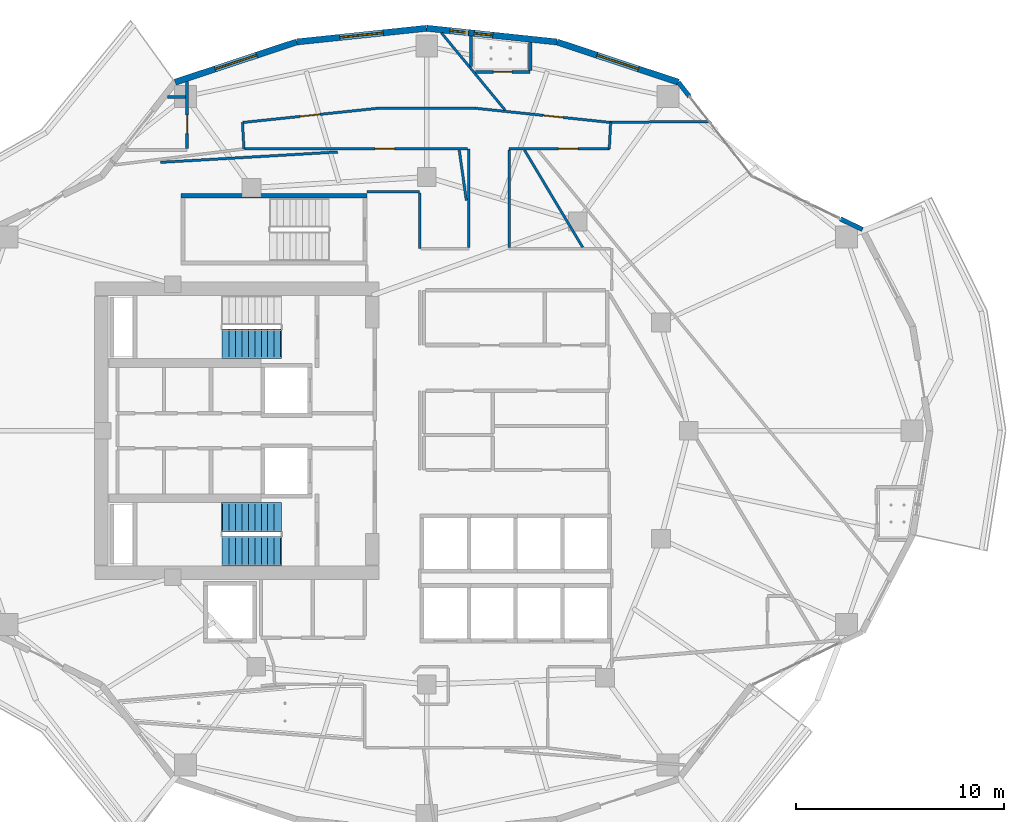
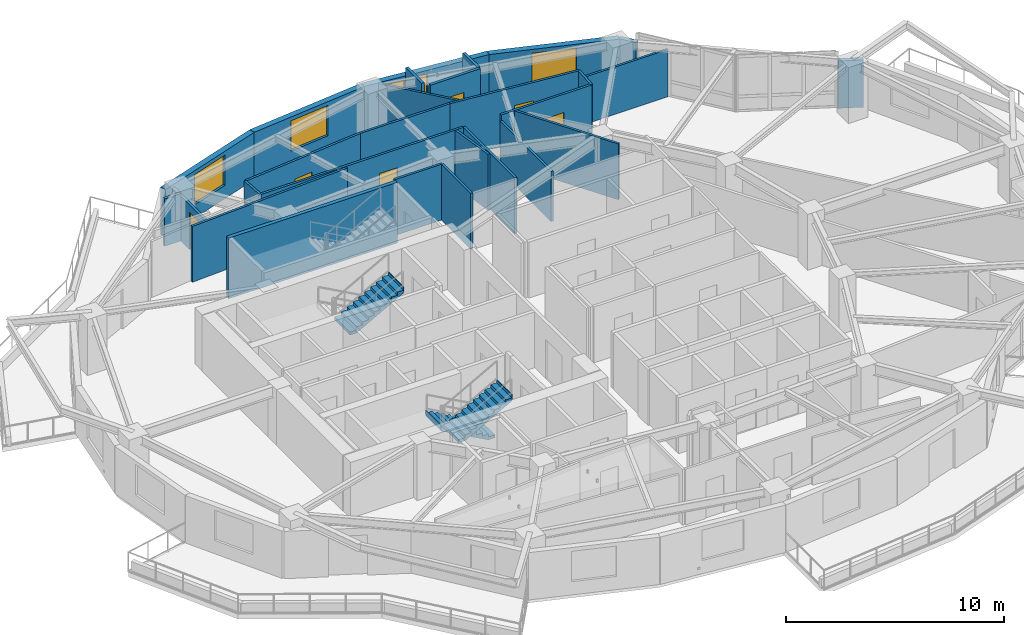
# One storey, part 10 of 18: 28 walls, 6 doors, 5 windows, 3 stair flights, 11 openings, 2 elements without a shape of their own.
"""IFC4 building model written with IfcOpenShell, lengths in metres."""

from ifc_helpers import new_model, si_unit, direction, frame, frame_2d, origin, place, context, subcontext, project, spatial, polyline, rectangle, outline, extrude, material, layer, layer_set, type_object, element, fill, aggregate, save


model = new_model("IFC4")

# Units and contexts
model_context = context("Model", 3, precision=1e-05, world=origin(), true_north=direction((0.0, 1.0)))
body_context = subcontext(model_context, "Body", "Model", "MODEL_VIEW")
ifc_project = project(units=[si_unit("LENGTHUNIT", "METRE"), si_unit("AREAUNIT", "SQUARE_METRE"), si_unit("VOLUMEUNIT", "CUBIC_METRE"), si_unit("PLANEANGLEUNIT", "RADIAN"), si_unit("MASSUNIT", "GRAM", prefix="KILO")], contexts=[model_context])

# Site, building, storey
site_placement = place(None, origin())
site = spatial("IfcSite", under=ifc_project, at=site_placement, CompositionType="ELEMENT")
building_placement = place(site_placement, origin())
building = spatial("IfcBuilding", under=site, at=building_placement, Name="Kolvaren Gate Tower and Convention Centre", CompositionType="ELEMENT")
storey_placement = place(building_placement, frame((0.0, 0.0, 135.89990234375)))
storey = spatial("IfcBuildingStorey", under=building, at=storey_placement, Name="L34", CompositionType="ELEMENT", Elevation=135.89990234375)

# Walls
ifc_material_1 = material(Name="Fire-Rated Acoustic Gypsum Stud Partition", Category="gypsum")
ifc_layer_1 = layer(ifc_material_1, 0.1201171875)
ifc_layer_set_1 = layer_set([ifc_layer_1], Name="Fire-Rated Acoustic Gypsum Stud Partition")
wall_type_1 = type_object("IfcWallType", Name="ARCH-WL-PART-120", PredefinedType="PARTITIONING", material=ifc_layer_set_1)
wall_1_placement = place(storey_placement, frame((21.263916015625, 41.81787109375, 0.0), z_axis=(0.0, 0.0, 1.0), x_axis=(0.0574492264, -0.99834842935, 0.0)))
element("IfcWall", 1, at=wall_1_placement, inside=storey, type_object=wall_type_1, Name="Interior Partition WL-L34-INT-035", PredefinedType="PARTITIONING", context=body_context, shape_type="SweptSolid", body=[
    extrude(rectangle(XDim=1.270751953125, YDim=0.1201171875, at=frame_2d((0.63525390625, 0.0))), origin(), (0.0, 0.0, 1.0), 3.130126953125),
])
wall_2_placement = place(storey_placement, frame((27.25, 38.5, 0.0), z_axis=(0.0, 0.0, 1.0), x_axis=(1.0, 0.0, 0.0)))
element("IfcWall", 2, at=wall_2_placement, inside=storey, type_object=wall_type_1, Name="Interior Partition WL-L34-INT-039", PredefinedType="PARTITIONING", context=body_context, shape_type="SweptSolid", body=[
    extrude(rectangle(XDim=2.530029296875, YDim=0.1201171875, at=frame_2d((1.26513671875, 0.0))), origin(), (0.0, 0.0, 1.0), 3.130126953125),
])
wall_3_placement = place(storey_placement, frame((29.780029296875, 35.75, 0.0), z_axis=(0.0, 0.0, 1.0), x_axis=(0.0, 1.0, 0.0)))
element("IfcWall", 3, at=wall_3_placement, inside=storey, type_object=wall_type_1, Name="Interior Partition WL-L34-INT-043", PredefinedType="PARTITIONING", context=body_context, shape_type="SweptSolid", body=[
    extrude(rectangle(XDim=2.68798828125, YDim=0.1201171875, at=frame_2d((1.343994140625, 0.0))), origin(), (0.0, 0.0, 1.0), 3.130126953125),
])
wall_4_placement = place(storey_placement, frame((32.14990234375, 35.81201171875, 0.0), z_axis=(0.0, 0.0, 1.0), x_axis=(0.0, 1.0, 0.0)))
element("IfcWall", 4, at=wall_4_placement, inside=storey, type_object=wall_type_1, Name="Interior Partition WL-L34-INT-046", PredefinedType="PARTITIONING", context=body_context, shape_type="SweptSolid", body=[
    extrude(rectangle(XDim=4.738037109375, YDim=0.1201171875, at=frame_2d((2.369140625, 0.0))), origin(), (0.0, 0.0, 1.0), 3.130126953125),
])

# Wall, opening, door
wall_5_placement = place(storey_placement, frame((21.3505859375, 40.550048828125, 0.0), z_axis=(0.0, 0.0, 1.0), x_axis=(1.0, 0.0, 0.0)))
wall_5 = element("IfcWall", 5, at=wall_5_placement, inside=storey, type_object=wall_type_1, Name="Interior Partition WL-L34-INT-047", PredefinedType="PARTITIONING", context=body_context, shape_type="SweptSolid", body=[
    extrude(rectangle(XDim=10.7373046875, YDim=0.1201171875, at=frame_2d((5.36865234375, 0.0))), origin(), (0.0, 0.0, 1.0), 3.130126953125),
])
opening_1_placement = place(wall_5_placement, frame((6.28173828125, 0.0, 0.0)))
opening_1 = element("IfcOpeningElement", 6, at=opening_1_placement, cuts=wall_5, Name="Opening DR-01", PredefinedType="OPENING", context=body_context, shape_type="SweptSolid", body=[
    extrude(rectangle(XDim=0.949951171875, YDim=2.10009765625, at=frame_2d((0.47509765625, 1.050048828125))), frame((0.0, 0.070068359375, 0.0), z_axis=(0.0, -1.0, 0.0), x_axis=(1.0, 0.0, 0.0)), (0.0, 0.0, 1.0), 0.14013671875),
])
ifc_material_2 = material(Name="Painted Architectural Steelwork ASTM A500 Grade C 345 MPa", Category="steel")
door_type_1 = type_object("IfcDoorType", Name="ARCH-DR-RISER-950", OperationType="SINGLE_SWING_RIGHT", PredefinedType="DOOR", material=ifc_material_2)
door_1_placement = place(opening_1_placement, origin())
door_1 = element("IfcDoor", 7, at=door_1_placement, inside=storey, type_object=door_type_1, Name="Hotel Botanical Clubroom Door", OperationType="SINGLE_SWING_LEFT", OverallHeight=2.10009765625, OverallWidth=0.949951171875, PredefinedType="DOOR", context=body_context, shape_type="SweptSolid", body=[
    extrude(rectangle(XDim=0.949951171875, YDim=2.10009765625, at=frame_2d((0.47509765625, 1.050048828125))), frame((0.0, 0.02490234375, 0.0), z_axis=(0.0, -1.0, 0.0), x_axis=(1.0, 0.0, 0.0)), (0.0, 0.0, 1.0), 0.050048828125),
])
fill(opening_1, door_1)

wall_6_placement = place(storey_placement, frame((34.080078125, 40.550048828125, 0.0), z_axis=(0.0, 0.0, 1.0), x_axis=(1.0, 0.0, 0.0)))
wall_6 = element("IfcWall", 8, at=wall_6_placement, inside=storey, type_object=wall_type_1, Name="Interior Partition WL-L34-INT-048", PredefinedType="PARTITIONING", context=body_context, shape_type="SweptSolid", body=[
    extrude(rectangle(XDim=4.81982421875, YDim=0.1201171875, at=frame_2d((2.409912109375, 0.0))), origin(), (0.0, 0.0, 1.0), 3.130126953125),
])
opening_2_placement = place(wall_6_placement, frame((2.368408203125, 0.0, 0.0)))
opening_2 = element("IfcOpeningElement", 9, at=opening_2_placement, cuts=wall_6, Name="Opening DR-01", PredefinedType="OPENING", context=body_context, shape_type="SweptSolid", body=[
    extrude(rectangle(XDim=0.949951171875, YDim=2.10009765625, at=frame_2d((0.47509765625, 1.050048828125))), frame((0.0, 0.070068359375, 0.0), z_axis=(0.0, -1.0, 0.0), x_axis=(1.0, 0.0, 0.0)), (0.0, 0.0, 1.0), 0.14013671875),
])
door_2_placement = place(opening_2_placement, origin())
door_2 = element("IfcDoor", 10, at=door_2_placement, inside=storey, type_object=door_type_1, Name="Deluxe Hotel Suite (HTL-L34-07) Door", OperationType="SINGLE_SWING_RIGHT", OverallHeight=2.10009765625, OverallWidth=0.949951171875, PredefinedType="DOOR", context=body_context, shape_type="SweptSolid", body=[
    extrude(rectangle(XDim=0.949951171875, YDim=2.10009765625, at=frame_2d((0.47509765625, 1.050048828125))), frame((0.0, 0.02490234375, 0.0), z_axis=(0.0, -1.0, 0.0), x_axis=(1.0, 0.0, 0.0)), (0.0, 0.0, 1.0), 0.050048828125),
])
fill(opening_2, door_2)

wall_7_placement = place(storey_placement, frame((21.282958984375, 41.819091796875, 0.0), z_axis=(0.0, 0.0, 1.0), x_axis=(0.994501131299, 0.104725831799, 0.0)))
wall_7 = element("IfcWall", 11, at=wall_7_placement, inside=storey, type_object=wall_type_1, Name="Interior Partition WL-L34-INT-049", PredefinedType="PARTITIONING", context=body_context, shape_type="SweptSolid", body=[
    extrude(rectangle(XDim=6.501708984375, YDim=0.1201171875, at=frame_2d((3.2509765625, 0.0))), origin(), (0.0, 0.0, 1.0), 3.130126953125),
])
opening_3_placement = place(wall_7_placement, frame((2.77587890625, 0.0, 0.0)))
opening_3 = element("IfcOpeningElement", 12, at=opening_3_placement, cuts=wall_7, Name="Opening DR-01", PredefinedType="OPENING", context=body_context, shape_type="SweptSolid", body=[
    extrude(rectangle(XDim=0.949951171875, YDim=2.10009765625, at=frame_2d((0.47509765625, 1.050048828125))), frame((0.0, 0.070068359375, 0.0), z_axis=(0.0, -1.0, 0.0), x_axis=(1.0, 0.0, 0.0)), (0.0, 0.0, 1.0), 0.14013671875),
])
door_3_placement = place(opening_3_placement, origin())
door_3 = element("IfcDoor", 13, at=door_3_placement, inside=storey, type_object=door_type_1, Name="Deluxe Hotel Suite (HTL-L34-09) Door", OperationType="SINGLE_SWING_RIGHT", OverallHeight=2.10009765625, OverallWidth=0.949951171875, PredefinedType="DOOR", context=body_context, shape_type="SweptSolid", body=[
    extrude(rectangle(XDim=0.949951171875, YDim=2.10009765625, at=frame_2d((0.47509765625, 1.050048828125))), frame((0.0, 0.02490234375, 0.0), z_axis=(0.0, -1.0, 0.0), x_axis=(1.0, 0.0, 0.0)), (0.0, 0.0, 1.0), 0.050048828125),
])
fill(opening_3, door_3)

# Wall
wall_8_placement = place(storey_placement, frame((27.7490234375, 42.5, 0.0), z_axis=(0.0, 0.0, 1.0), x_axis=(1.0, 0.0, 0.0)))
element("IfcWall", 14, at=wall_8_placement, inside=storey, type_object=wall_type_1, Name="Interior Partition WL-L34-INT-050", PredefinedType="PARTITIONING", context=body_context, shape_type="SweptSolid", body=[
    extrude(rectangle(XDim=4.751953125, YDim=0.1201171875, at=frame_2d((2.3759765625, 0.0))), origin(), (0.0, 0.0, 1.0), 3.130126953125),
])

# Wall, opening, door
wall_9_placement = place(storey_placement, frame((32.5009765625, 42.5, 0.0), z_axis=(0.0, 0.0, 1.0), x_axis=(0.994501131299, -0.104725831799, 0.0)))
wall_9 = element("IfcWall", 15, at=wall_9_placement, inside=storey, type_object=wall_type_1, Name="Interior Partition WL-L34-INT-051", PredefinedType="PARTITIONING", context=body_context, shape_type="SweptSolid", body=[
    extrude(rectangle(XDim=6.501708984375, YDim=0.1201171875, at=frame_2d((3.2509765625, 0.0))), origin(), (0.0, 0.0, 1.0), 3.130126953125),
])
opening_4_placement = place(wall_9_placement, frame((3.246826171875, 0.0, 0.0)))
opening_4 = element("IfcOpeningElement", 16, at=opening_4_placement, cuts=wall_9, Name="Opening DR-01", PredefinedType="OPENING", context=body_context, shape_type="SweptSolid", body=[
    extrude(rectangle(XDim=0.949951171875, YDim=2.10009765625, at=frame_2d((0.47509765625, 1.050048828125))), frame((0.0, 0.070068359375, 0.0), z_axis=(0.0, -1.0, 0.0), x_axis=(1.0, 0.0, 0.0)), (0.0, 0.0, 1.0), 0.14013671875),
])
door_4_placement = place(opening_4_placement, origin())
door_4 = element("IfcDoor", 17, at=door_4_placement, inside=storey, type_object=door_type_1, Name="Hotel Guest Room (HTL-L34-08) Door", OperationType="SINGLE_SWING_LEFT", OverallHeight=2.10009765625, OverallWidth=0.949951171875, PredefinedType="DOOR", context=body_context, shape_type="SweptSolid", body=[
    extrude(rectangle(XDim=0.949951171875, YDim=2.10009765625, at=frame_2d((0.47509765625, 1.050048828125))), frame((0.0, 0.02490234375, 0.0), z_axis=(0.0, -1.0, 0.0), x_axis=(1.0, 0.0, 0.0)), (0.0, 0.0, 1.0), 0.050048828125),
])
fill(opening_4, door_4)

# Walls
wall_10_placement = place(storey_placement, frame((38.89990234375, 40.550048828125, 0.0), z_axis=(0.0, 0.0, 1.0), x_axis=(0.052831079727, 0.99860346335, 0.0)))
element("IfcWall", 18, at=wall_10_placement, inside=storey, type_object=wall_type_1, Name="Interior Partition WL-L34-INT-052", PredefinedType="PARTITIONING", context=body_context, shape_type="SweptSolid", body=[
    extrude(rectangle(XDim=1.270751953125, YDim=0.1201171875, at=frame_2d((0.63525390625, 0.0))), origin(), (0.0, 0.0, 1.0), 3.130126953125),
])
wall_11_placement = place(storey_placement, frame((34.080078125, 35.81201171875, 0.0), z_axis=(0.0, 0.0, 1.0), x_axis=(0.0, 1.0, 0.0)))
element("IfcWall", 19, at=wall_11_placement, inside=storey, type_object=wall_type_1, Name="Interior Partition WL-L34-INT-053", PredefinedType="PARTITIONING", context=body_context, shape_type="SweptSolid", body=[
    extrude(rectangle(XDim=4.676025390625, YDim=0.1201171875, at=frame_2d((2.337890625, 0.0))), origin(), (0.0, 0.0, 1.0), 2.81201171875),
])
wall_12_placement = place(storey_placement, frame((34.824951171875, 40.488037109375, 0.0), z_axis=(0.0, 0.0, 1.0), x_axis=(0.513579710685, -0.85804188754, 0.0)))
element("IfcWall", 20, at=wall_12_placement, inside=storey, type_object=wall_type_1, Name="Interior Partition WL-L34-INT-069", PredefinedType="PARTITIONING", context=body_context, shape_type="SweptSolid", body=[
    extrude(rectangle(XDim=5.44970703125, YDim=0.1201171875, at=frame_2d((2.724853515625, 0.0))), origin(), (0.0, 0.0, 1.0), 3.130126953125),
])
wall_13_placement = place(storey_placement, frame((30.834716796875, 46.122314453125, 0.0), z_axis=(0.0, 0.0, 1.0), x_axis=(0.636070633964, -0.771630836999, 0.0)))
element("IfcWall", 21, at=wall_13_placement, inside=storey, type_object=wall_type_1, Name="Interior Partition WL-L34-INT-070", PredefinedType="PARTITIONING", context=body_context, shape_type="SweptSolid", body=[
    extrude(rectangle(XDim=4.80322265625, YDim=0.1201171875, at=frame_2d((2.401611328125, 0.0))), origin(), (0.0, 0.0, 1.0), 2.653076171875),
])
wall_14_placement = place(storey_placement, frame((38.96875, 41.8359375, 0.0), z_axis=(0.0, 0.0, 1.0), x_axis=(0.999993975638, 0.003471121975, 0.0)))
element("IfcWall", 22, at=wall_14_placement, inside=storey, type_object=wall_type_1, Name="Interior Partition WL-L34-INT-072", PredefinedType="PARTITIONING", context=body_context, shape_type="SweptSolid", body=[
    extrude(rectangle(XDim=4.71240234375, YDim=0.1201171875, at=frame_2d((2.356201171875, 0.0))), origin(), (0.0, 0.0, 1.0), 2.653076171875),
])
wall_15_placement = place(storey_placement, frame((17.331298828125, 39.902587890625, 0.0), z_axis=(0.0, 0.0, 1.0), x_axis=(0.998298083041, 0.0583175565, 0.0)))
element("IfcWall", 23, at=wall_15_placement, inside=storey, type_object=wall_type_1, Name="Interior Partition WL-L34-INT-083", PredefinedType="PARTITIONING", context=body_context, shape_type="SweptSolid", body=[
    extrude(rectangle(XDim=8.527587890625, YDim=0.1201171875, at=frame_2d((4.263671875, 0.0))), origin(), (0.0, 0.0, 1.0), 3.130126953125),
])
wall_16_placement = place(storey_placement, frame((31.688720703125, 40.488037109375, 0.0), z_axis=(0.0, 0.0, 1.0), x_axis=(0.139205728255, -0.990263482726, 0.0)))
element("IfcWall", 24, at=wall_16_placement, inside=storey, type_object=wall_type_1, Name="Interior Partition WL-L34-INT-084", PredefinedType="PARTITIONING", context=body_context, shape_type="SweptSolid", body=[
    extrude(rectangle(XDim=2.437744140625, YDim=0.1201171875, at=frame_2d((1.21875, 0.0))), origin(), (0.0, 0.0, 1.0), 3.130126953125),
])
ifc_material_3 = material(Name="Bogota Sabana Bush-Hammered Sandstone Cladding", Category="masonry")
ifc_layer_2 = layer(ifc_material_3, 0.219970703125)
ifc_layer_set_2 = layer_set([ifc_layer_2], Name="Bogota Sabana Bush-Hammered Sandstone Cladding")
wall_type_2 = type_object("IfcWallType", Name="ARCH-WL-PIER-220", PredefinedType="SOLIDWALL", material=ifc_layer_set_2)
wall_17_placement = place(storey_placement, frame((50.0068359375, 37.186767578125, 0.0), z_axis=(0.0, 0.0, 1.0), x_axis=(0.90138115854, -0.433026566193, 0.0)))
element("IfcWall", 25, at=wall_17_placement, inside=storey, type_object=wall_type_2, Name="Tower L34 Unitised Curtain Wall CW-HTL-UNIT Bay 02 Right Column Pier Wrap", PredefinedType="SOLIDWALL", context=body_context, shape_type="SweptSolid", body=[
    extrude(rectangle(XDim=1.181640625, YDim=0.219970703125, at=frame_2d((0.5908203125, 0.0))), origin(), (0.0, 0.0, 1.0), 2.653076171875),
])
wall_18_placement = place(storey_placement, frame((42.21875, 43.757568359375, 0.0), z_axis=(0.0, 0.0, 1.0), x_axis=(0.61650363284, -0.787352062736, 0.0)))
element("IfcWall", 26, at=wall_18_placement, inside=storey, type_object=wall_type_2, Name="Tower L34 Unitised Curtain Wall CW-HTL-UNIT Bay 03 Left Column Pier Wrap", PredefinedType="SOLIDWALL", context=body_context, shape_type="SweptSolid", body=[
    extrude(rectangle(XDim=0.8759765625, YDim=0.219970703125, at=frame_2d((0.43798828125, 0.0))), origin(), (0.0, 0.0, 1.0), 2.653076171875),
])

# Wall, opening, window
ifc_material_4 = material(Name="Piedmont Cream Honed Limestone Cladding", Category="masonry")
ifc_layer_3 = layer(ifc_material_4, 0.300048828125)
ifc_layer_set_3 = layer_set([ifc_layer_3], Name="Piedmont Cream Honed Limestone Cladding")
wall_type_3 = type_object("IfcWallType", Name="ARCH-WL-STONE-300", PredefinedType="SOLIDWALL", material=ifc_layer_set_3)
wall_19_placement = place(storey_placement, frame((36.38525390625, 45.690673828125, 0.0), z_axis=(0.0, 0.0, 1.0), x_axis=(0.949238009374, -0.314558741032, 0.0)))
wall_19 = element("IfcWall", 27, at=wall_19_placement, inside=storey, type_object=wall_type_3, Name="Tower L34 Honed Stone Spandrel Wall EW-04", PredefinedType="SOLIDWALL", context=body_context, shape_type="SweptSolid", body=[
    extrude(rectangle(XDim=6.1455078125, YDim=0.300048828125, at=frame_2d((3.07275390625, 0.0))), origin(), (0.0, 0.0, 1.0), 2.653076171875),
])
opening_5_placement = place(wall_19_placement, frame((2.02294921875, 0.0, 0.739990234375)))
opening_5 = element("IfcOpeningElement", 28, at=opening_5_placement, cuts=wall_19, Name="Opening W-02", PredefinedType="OPENING", context=body_context, shape_type="SweptSolid", body=[
    extrude(rectangle(XDim=2.10009765625, YDim=1.699951171875, at=frame_2d((1.050048828125, 0.85009765625))), frame((0.0, 0.159912109375, 0.0), z_axis=(0.0, -1.0, 0.0), x_axis=(1.0, 0.0, 0.0)), (0.0, 0.0, 1.0), 0.320068359375),
])
ifc_material_5 = material(Name="Low-E Triple Insulated Glazing Unit 44 mm", Category="glass")
window_type_1 = type_object("IfcWindowType", Name="ARCH-WN-HTL-2100", PartitioningType="SINGLE_PANEL", PredefinedType="WINDOW", material=ifc_material_5)
window_1_placement = place(opening_5_placement, origin())
window_1 = element("IfcWindow", 29, at=window_1_placement, inside=storey, type_object=window_type_1, Name="Tower L34 Punched Stone Facade Window W-04", OverallHeight=1.699951171875, OverallWidth=2.10009765625, PartitioningType="SINGLE_PANEL", PredefinedType="WINDOW", context=body_context, shape_type="SweptSolid", body=[
    extrude(rectangle(XDim=2.10009765625, YDim=1.699951171875, at=frame_2d((1.050048828125, 0.85009765625))), frame((0.0, 0.030029296875, 0.0), z_axis=(0.0, -1.0, 0.0), x_axis=(1.0, 0.0, 0.0)), (0.0, 0.0, 1.0), 0.06005859375),
])
fill(opening_5, window_1)

# Wall, openings, windows
wall_20_placement = place(storey_placement, frame((30.125, 46.35009765625, 0.0), z_axis=(0.0, 0.0, 1.0), x_axis=(0.994498012394, -0.104755445421, 0.0)))
wall_20 = element("IfcWall", 30, at=wall_20_placement, inside=storey, type_object=wall_type_3, Name="Tower L34 Honed Stone Spandrel Wall EW-05", PredefinedType="SOLIDWALL", context=body_context, shape_type="SweptSolid", body=[
    extrude(rectangle(XDim=6.294921875, YDim=0.300048828125, at=frame_2d((3.1474609375, 0.0))), origin(), (0.0, 0.0, 1.0), 2.653076171875),
])
opening_6_placement = place(wall_20_placement, frame((1.122802734375, 0.0, 0.739990234375)))
opening_6 = element("IfcOpeningElement", 31, at=opening_6_placement, cuts=wall_20, Name="Opening W-06", PredefinedType="OPENING", context=body_context, shape_type="SweptSolid", body=[
    extrude(rectangle(XDim=0.89990234375, YDim=1.699951171875, at=frame_2d((0.449951171875, 0.85009765625))), frame((0.0, 0.159912109375, 0.0), z_axis=(0.0, -1.0, 0.0), x_axis=(1.0, 0.0, 0.0)), (0.0, 0.0, 1.0), 0.320068359375),
])
opening_7_placement = place(wall_20_placement, frame((2.289306640625, 0.0, 0.739990234375)))
opening_7 = element("IfcOpeningElement", 32, at=opening_7_placement, cuts=wall_20, Name="Opening W-06", PredefinedType="OPENING", context=body_context, shape_type="SweptSolid", body=[
    extrude(rectangle(XDim=0.89990234375, YDim=1.699951171875, at=frame_2d((0.449951171875, 0.85009765625))), frame((0.0, 0.159912109375, 0.0), z_axis=(0.0, -1.0, 0.0), x_axis=(1.0, 0.0, 0.0)), (0.0, 0.0, 1.0), 0.320068359375),
])
window_type_2 = type_object("IfcWindowType", Name="ARCH-WN-PUNCH-900", PartitioningType="SINGLE_PANEL", PredefinedType="WINDOW", material=ifc_material_5)
window_2_placement = place(opening_6_placement, origin())
window_2 = element("IfcWindow", 33, at=window_2_placement, inside=storey, type_object=window_type_2, Name="Tower L34 Punched Stone Facade Window W-05", OverallHeight=1.699951171875, OverallWidth=0.89990234375, PartitioningType="SINGLE_PANEL", PredefinedType="WINDOW", context=body_context, shape_type="SweptSolid", body=[
    extrude(rectangle(XDim=0.89990234375, YDim=1.699951171875, at=frame_2d((0.449951171875, 0.85009765625))), frame((0.0, 0.030029296875, 0.0), z_axis=(0.0, -1.0, 0.0), x_axis=(1.0, 0.0, 0.0)), (0.0, 0.0, 1.0), 0.06005859375),
])
fill(opening_6, window_2)
window_3_placement = place(opening_7_placement, origin())
window_3 = element("IfcWindow", 34, at=window_3_placement, inside=storey, type_object=window_type_2, Name="Tower L34 Punched Stone Facade Window W-05B", OverallHeight=1.699951171875, OverallWidth=0.89990234375, PartitioningType="SINGLE_PANEL", PredefinedType="WINDOW", context=body_context, shape_type="SweptSolid", body=[
    extrude(rectangle(XDim=0.89990234375, YDim=1.699951171875, at=frame_2d((0.449951171875, 0.85009765625))), frame((0.0, 0.030029296875, 0.0), z_axis=(0.0, -1.0, 0.0), x_axis=(1.0, 0.0, 0.0)), (0.0, 0.0, 1.0), 0.06005859375),
])
fill(opening_7, window_3)

# Wall, opening, window
wall_21_placement = place(storey_placement, frame((23.86474609375, 45.690673828125, 0.0), z_axis=(0.0, 0.0, 1.0), x_axis=(0.994498012394, 0.104755445421, 0.0)))
wall_21 = element("IfcWall", 35, at=wall_21_placement, inside=storey, type_object=wall_type_3, Name="Tower L34 Honed Stone Spandrel Wall EW-06", PredefinedType="SOLIDWALL", context=body_context, shape_type="SweptSolid", body=[
    extrude(rectangle(XDim=6.294921875, YDim=0.300048828125, at=frame_2d((3.1474609375, 0.0))), origin(), (0.0, 0.0, 1.0), 2.653076171875),
])
opening_8_placement = place(wall_21_placement, frame((2.096923828125, 0.0, 0.739990234375)))
opening_8 = element("IfcOpeningElement", 36, at=opening_8_placement, cuts=wall_21, Name="Opening W-02", PredefinedType="OPENING", context=body_context, shape_type="SweptSolid", body=[
    extrude(rectangle(XDim=2.10009765625, YDim=1.699951171875, at=frame_2d((1.050048828125, 0.85009765625))), frame((0.0, 0.159912109375, 0.0), z_axis=(0.0, -1.0, 0.0), x_axis=(1.0, 0.0, 0.0)), (0.0, 0.0, 1.0), 0.320068359375),
])
window_4_placement = place(opening_8_placement, origin())
window_4 = element("IfcWindow", 37, at=window_4_placement, inside=storey, type_object=window_type_1, Name="Tower L34 Punched Stone Facade Window W-06", OverallHeight=1.699951171875, OverallWidth=2.10009765625, PartitioningType="SINGLE_PANEL", PredefinedType="WINDOW", context=body_context, shape_type="SweptSolid", body=[
    extrude(rectangle(XDim=2.10009765625, YDim=1.699951171875, at=frame_2d((1.050048828125, 0.85009765625))), frame((0.0, 0.030029296875, 0.0), z_axis=(0.0, -1.0, 0.0), x_axis=(1.0, 0.0, 0.0)), (0.0, 0.0, 1.0), 0.06005859375),
])
fill(opening_8, window_4)

wall_22_placement = place(storey_placement, frame((18.03125, 43.757568359375, 0.0), z_axis=(0.0, 0.0, 1.0), x_axis=(0.949238009374, 0.314558741032, 0.0)))
wall_22 = element("IfcWall", 38, at=wall_22_placement, inside=storey, type_object=wall_type_3, Name="Tower L34 Honed Stone Spandrel Wall EW-07", PredefinedType="SOLIDWALL", context=body_context, shape_type="SweptSolid", body=[
    extrude(rectangle(XDim=6.1455078125, YDim=0.300048828125, at=frame_2d((3.07275390625, 0.0))), origin(), (0.0, 0.0, 1.0), 2.653076171875),
])
opening_9_placement = place(wall_22_placement, frame((2.02294921875, 0.0, 0.739990234375)))
opening_9 = element("IfcOpeningElement", 39, at=opening_9_placement, cuts=wall_22, Name="Opening W-02", PredefinedType="OPENING", context=body_context, shape_type="SweptSolid", body=[
    extrude(rectangle(XDim=2.10009765625, YDim=1.699951171875, at=frame_2d((1.050048828125, 0.85009765625))), frame((0.0, 0.159912109375, 0.0), z_axis=(0.0, -1.0, 0.0), x_axis=(1.0, 0.0, 0.0)), (0.0, 0.0, 1.0), 0.320068359375),
])
window_5_placement = place(opening_9_placement, origin())
window_5 = element("IfcWindow", 40, at=window_5_placement, inside=storey, type_object=window_type_1, Name="Tower L34 Punched Stone Facade Window W-07", OverallHeight=1.699951171875, OverallWidth=2.10009765625, PartitioningType="SINGLE_PANEL", PredefinedType="WINDOW", context=body_context, shape_type="SweptSolid", body=[
    extrude(rectangle(XDim=2.10009765625, YDim=1.699951171875, at=frame_2d((1.050048828125, 0.85009765625))), frame((0.0, 0.030029296875, 0.0), z_axis=(0.0, -1.0, 0.0), x_axis=(1.0, 0.0, 0.0)), (0.0, 0.0, 1.0), 0.06005859375),
])
fill(opening_9, window_5)

# Wall, opening, door
ifc_material_6 = material(Name="Moisture-Resistant Cement-Board Acoustic Partition", Category="gypsum")
ifc_layer_4 = layer(ifc_material_6, 0.14990234375)
ifc_layer_set_4 = layer_set([ifc_layer_4], Name="Moisture-Resistant Cement-Board Acoustic Partition")
wall_type_4 = type_object("IfcWallType", Name="ARCH-WL-WET-150", PredefinedType="PARTITIONING", material=ifc_layer_set_4)
wall_23_placement = place(storey_placement, frame((32.45849609375, 44.25, 0.0), z_axis=(0.0, 0.0, 1.0), x_axis=(1.0, 0.0, 0.0)))
wall_23 = element("IfcWall", 41, at=wall_23_placement, inside=storey, type_object=wall_type_4, Name="Interior Partition WL-L34-INT-076", PredefinedType="PARTITIONING", context=body_context, shape_type="SweptSolid", body=[
    extrude(rectangle(XDim=2.6416015625, YDim=0.14990234375, at=frame_2d((1.32080078125, 0.0))), origin(), (0.0, 0.0, 1.0), 3.130126953125),
])
opening_10_placement = place(wall_23_placement, frame((0.870849609375, 0.0, 0.0)))
opening_10 = element("IfcOpeningElement", 42, at=opening_10_placement, cuts=wall_23, Name="Opening DW-01", PredefinedType="OPENING", context=body_context, shape_type="SweptSolid", body=[
    extrude(rectangle(XDim=0.89990234375, YDim=2.10009765625, at=frame_2d((0.449951171875, 1.050048828125))), frame((0.0, 0.0849609375, 0.0), z_axis=(0.0, -1.0, 0.0), x_axis=(1.0, 0.0, 0.0)), (0.0, 0.0, 1.0), 0.169921875),
])
ifc_material_7 = material(Name="FSC Andean Oak Engineered Veneer Door Leaf", Category="wood")
door_type_2 = type_object("IfcDoorType", Name="ARCH-DR-WC-900", OperationType="SINGLE_SWING_RIGHT", PredefinedType="DOOR", material=ifc_material_7)
door_5_placement = place(opening_10_placement, origin())
door_5 = element("IfcDoor", 43, at=door_5_placement, inside=storey, type_object=door_type_2, Name="En-suite Bathroom (HTL-L34-08) Door", OperationType="SINGLE_SWING_RIGHT", OverallHeight=2.10009765625, OverallWidth=0.89990234375, PredefinedType="DOOR", context=body_context, shape_type="SweptSolid", body=[
    extrude(rectangle(XDim=0.89990234375, YDim=2.10009765625, at=frame_2d((0.449951171875, 1.050048828125))), frame((0.0, 0.02490234375, 0.0), z_axis=(0.0, -1.0, 0.0), x_axis=(1.0, 0.0, 0.0)), (0.0, 0.0, 1.0), 0.050048828125),
])
fill(opening_10, door_5)

# Walls
wall_24_placement = place(storey_placement, frame((35.10009765625, 44.326904296875, 0.0), z_axis=(0.0, 0.0, 1.0), x_axis=(0.0, 1.0, 0.0)))
element("IfcWall", 44, at=wall_24_placement, inside=storey, type_object=wall_type_4, Name="Interior Partition WL-L34-INT-077", PredefinedType="PARTITIONING", context=body_context, shape_type="SweptSolid", body=[
    extrude(rectangle(XDim=1.34619140625, YDim=0.14990234375, at=frame_2d((0.673095703125, 0.0))), origin(), (0.0, 0.0, 1.0), 3.130126953125),
])
wall_25_placement = place(storey_placement, frame((32.25, 44.5029296875, 0.0), z_axis=(0.0, 0.0, 1.0), x_axis=(0.0, 1.0, 0.0)))
element("IfcWall", 45, at=wall_25_placement, inside=storey, type_object=wall_type_4, Name="Interior Partition WL-L34-INT-078", PredefinedType="PARTITIONING", context=body_context, shape_type="SweptSolid", body=[
    extrude(rectangle(XDim=1.470458984375, YDim=0.14990234375, at=frame_2d((0.7353515625, 0.0))), origin(), (0.0, 0.0, 1.0), 3.130126953125),
])

# Wall, opening, door
wall_26_placement = place(storey_placement, frame((18.60009765625, 40.576904296875, 0.0), z_axis=(0.0, 0.0, 1.0), x_axis=(0.0, 1.0, 0.0)))
wall_26 = element("IfcWall", 46, at=wall_26_placement, inside=storey, type_object=wall_type_4, Name="Interior Partition WL-L34-INT-080", PredefinedType="PARTITIONING", context=body_context, shape_type="SweptSolid", body=[
    extrude(rectangle(XDim=3.208984375, YDim=0.14990234375, at=frame_2d((1.6044921875, 0.0))), origin(), (0.0, 0.0, 1.0), 2.505126953125),
])
opening_11_placement = place(wall_26_placement, frame((0.71142578125, 0.0, 0.0)))
opening_11 = element("IfcOpeningElement", 47, at=opening_11_placement, cuts=wall_26, Name="Opening DW-01", PredefinedType="OPENING", context=body_context, shape_type="SweptSolid", body=[
    extrude(rectangle(XDim=0.89990234375, YDim=2.10009765625, at=frame_2d((0.449951171875, 1.050048828125))), frame((0.0, 0.0849609375, 0.0), z_axis=(0.0, -1.0, 0.0), x_axis=(1.0, 0.0, 0.0)), (0.0, 0.0, 1.0), 0.169921875),
])
door_6_placement = place(opening_11_placement, origin())
door_6 = element("IfcDoor", 48, at=door_6_placement, inside=storey, type_object=door_type_2, Name="En-suite Bathroom (HTL-L34-09) Door", OperationType="SINGLE_SWING_LEFT", OverallHeight=2.10009765625, OverallWidth=0.89990234375, PredefinedType="DOOR", context=body_context, shape_type="SweptSolid", body=[
    extrude(rectangle(XDim=0.89990234375, YDim=2.10009765625, at=frame_2d((0.449951171875, 1.050048828125))), frame((0.0, 0.02490234375, 0.0), z_axis=(0.0, -1.0, 0.0), x_axis=(1.0, 0.0, 0.0)), (0.0, 0.0, 1.0), 0.050048828125),
])
fill(opening_11, door_6)

# Walls
wall_27_placement = place(storey_placement, frame((17.67041015625, 43.050048828125, 0.0), z_axis=(0.0, 0.0, 1.0), x_axis=(1.0, 0.0, 0.0)))
element("IfcWall", 49, at=wall_27_placement, inside=storey, type_object=wall_type_4, Name="Interior Partition WL-L34-INT-081", PredefinedType="PARTITIONING", context=body_context, shape_type="SweptSolid", body=[
    extrude(rectangle(XDim=0.8525390625, YDim=0.14990234375, at=frame_2d((0.42626953125, 0.0))), origin(), (0.0, 0.0, 1.0), 2.653076171875),
])
ifc_material_8 = material(Name="Concrete C50/60", Category="concrete")
ifc_layer_5 = layer(ifc_material_8, 0.199951171875)
ifc_layer_set_5 = layer_set([ifc_layer_5], Name="Concrete C50/60")
wall_type_5 = type_object("IfcWallType", Name="STR-WL-SHAFT-200", PredefinedType="SHEAR", material=ifc_layer_set_5)
wall_28_placement = place(storey_placement, frame((18.300048828125, 38.300048828125, -0.27001953125), z_axis=(0.0, 0.0, 1.0), x_axis=(1.0, 0.0, 0.0)))
element("IfcWall", 50, at=wall_28_placement, inside=storey, type_object=wall_type_5, Name="Tower Mid-Zone Exit Stair ST-T3 L34 Structural Shear Enclosure Wall LEFT", PredefinedType="SHEAR", context=body_context, shape_type="SweptSolid", body=[
    extrude(rectangle(XDim=8.949951171875, YDim=0.199951171875, at=frame_2d((4.47509765625, 0.0))), origin(), (0.0, 0.0, 1.0), 3.400146484375),
])

# Stair, stair flight
stair_type = type_object("IfcStairType", Name="STR-STAIR-CORE", PredefinedType="HALF_TURN_STAIR", material=ifc_material_8)
stair_1_placement = place(storey_placement, origin())
stair_1 = element("IfcStair", 51, at=stair_1_placement, inside=storey, type_object=stair_type, Name="L34 Tower North Exit Stair ST-T1", PredefinedType="HALF_TURN_STAIR")
stair_flight_type = type_object("IfcStairFlightType", Name="STR-SFL-1420", PredefinedType="STRAIGHT", material=ifc_material_8)
stair_flight_1_placement = place(storey_placement, frame((20.31005859375, 31.169921875, 1.7001953125), z_axis=(0.0, 0.0, 1.0), x_axis=(1.0, 0.0, 0.0)))
stair_flight_1 = element("IfcStairFlight", 52, at=stair_flight_1_placement, type_object=stair_flight_type, Name="ST-T1 flight 2", NumberOfRisers=10, NumberOfTreads=9, PredefinedType="STRAIGHT", RiserHeight=0.17, TreadLength=0.31, context=body_context, shape_type="SweptSolid", body=[
    extrude(outline(polyline([(-0.034912109375, 0.0), (-0.034912109375, 0.169921875), (0.31005859375, 0.169921875), (0.31005859375, 0.340087890625), (0.6201171875, 0.340087890625), (0.6201171875, 0.510009765625), (0.929931640625, 0.510009765625), (0.929931640625, 0.679931640625), (1.239990234375, 0.679931640625), (1.239990234375, 0.85009765625), (1.550048828125, 0.85009765625), (1.550048828125, 1.02001953125), (1.860107421875, 1.02001953125), (1.860107421875, 1.18994140625), (2.169921875, 1.18994140625), (2.169921875, 1.360107421875), (2.47998046875, 1.360107421875), (2.47998046875, 1.530029296875), (2.7900390625, 1.530029296875), (2.7900390625, 1.699951171875), (2.8349609375, 1.699951171875), (2.8349609375, 1.5400390625), (2.7900390625, 1.359130859375), (0.311767578125, 0.0), (-0.034912109375, 0.0)])), frame((0.0, 0.7099609375, 0.0), z_axis=(0.0, -1.0, 0.0), x_axis=(1.0, 0.0, 0.0)), (0.0, 0.0, 1.0), 1.419921875),
])
aggregate(stair_1, [stair_flight_1])

# Stair, stair flights
stair_2_placement = place(storey_placement, origin())
stair_2 = element("IfcStair", 53, at=stair_2_placement, inside=storey, type_object=stair_type, Name="L34 Tower South Exit Stair ST-T2", PredefinedType="HALF_TURN_STAIR")
stair_flight_2_placement = place(storey_placement, frame((23.10009765625, 22.830078125, 0.0), z_axis=(0.0, 0.0, 1.0), x_axis=(-1.0, 0.0, 0.0)))
stair_flight_2 = element("IfcStairFlight", 54, at=stair_flight_2_placement, type_object=stair_flight_type, Name="ST-T2 flight 1", NumberOfRisers=10, NumberOfTreads=9, PredefinedType="STRAIGHT", RiserHeight=0.17, TreadLength=0.31, context=body_context, shape_type="SweptSolid", body=[
    extrude(outline(polyline([(-0.034912109375, 0.0), (-0.034912109375, 0.169921875), (0.31005859375, 0.169921875), (0.31005859375, 0.340087890625), (0.6201171875, 0.340087890625), (0.6201171875, 0.510009765625), (0.929931640625, 0.510009765625), (0.929931640625, 0.679931640625), (1.239990234375, 0.679931640625), (1.239990234375, 0.85009765625), (1.550048828125, 0.85009765625), (1.550048828125, 1.02001953125), (1.860107421875, 1.02001953125), (1.860107421875, 1.18994140625), (2.169921875, 1.18994140625), (2.169921875, 1.360107421875), (2.47998046875, 1.360107421875), (2.47998046875, 1.530029296875), (2.7900390625, 1.530029296875), (2.7900390625, 1.699951171875), (2.8349609375, 1.699951171875), (2.8349609375, 1.5400390625), (2.7900390625, 1.359130859375), (0.311767578125, 0.0), (-0.034912109375, 0.0)])), frame((0.0, 0.7099609375, 0.0), z_axis=(0.0, -1.0, 0.0), x_axis=(1.0, 0.0, 0.0)), (0.0, 0.0, 1.0), 1.419921875),
])
stair_flight_3_placement = place(storey_placement, frame((20.31005859375, 21.2099609375, 1.7001953125), z_axis=(0.0, 0.0, 1.0), x_axis=(1.0, 0.0, 0.0)))
stair_flight_3 = element("IfcStairFlight", 55, at=stair_flight_3_placement, type_object=stair_flight_type, Name="ST-T2 flight 2", NumberOfRisers=10, NumberOfTreads=9, PredefinedType="STRAIGHT", RiserHeight=0.17, TreadLength=0.31, context=body_context, shape_type="SweptSolid", body=[
    extrude(outline(polyline([(-0.034912109375, 0.0), (-0.034912109375, 0.169921875), (0.31005859375, 0.169921875), (0.31005859375, 0.340087890625), (0.6201171875, 0.340087890625), (0.6201171875, 0.510009765625), (0.929931640625, 0.510009765625), (0.929931640625, 0.679931640625), (1.239990234375, 0.679931640625), (1.239990234375, 0.85009765625), (1.550048828125, 0.85009765625), (1.550048828125, 1.02001953125), (1.860107421875, 1.02001953125), (1.860107421875, 1.18994140625), (2.169921875, 1.18994140625), (2.169921875, 1.360107421875), (2.47998046875, 1.360107421875), (2.47998046875, 1.530029296875), (2.7900390625, 1.530029296875), (2.7900390625, 1.699951171875), (2.8349609375, 1.699951171875), (2.8349609375, 1.5400390625), (2.7900390625, 1.359130859375), (0.311767578125, 0.0), (-0.034912109375, 0.0)])), frame((0.0, 0.7099609375, 0.0), z_axis=(0.0, -1.0, 0.0), x_axis=(1.0, 0.0, 0.0)), (0.0, 0.0, 1.0), 1.419921875),
])
aggregate(stair_2, [stair_flight_2, stair_flight_3])

save(model, "model.ifc")
